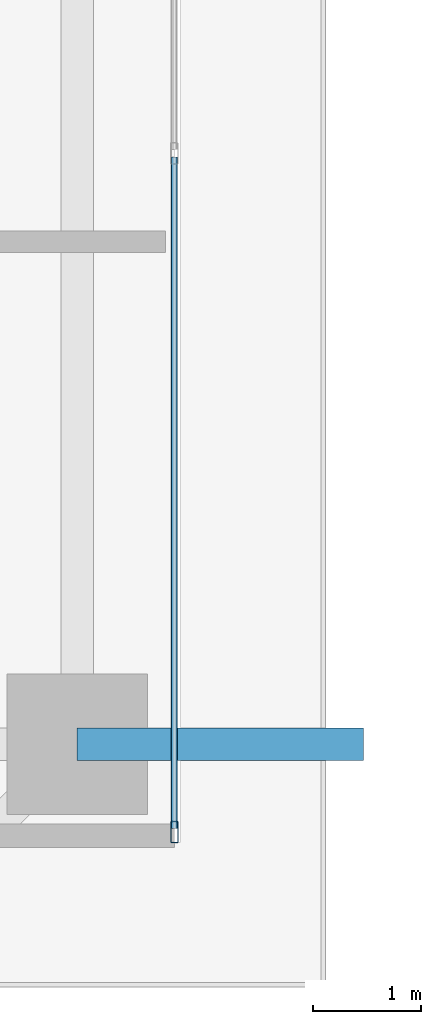
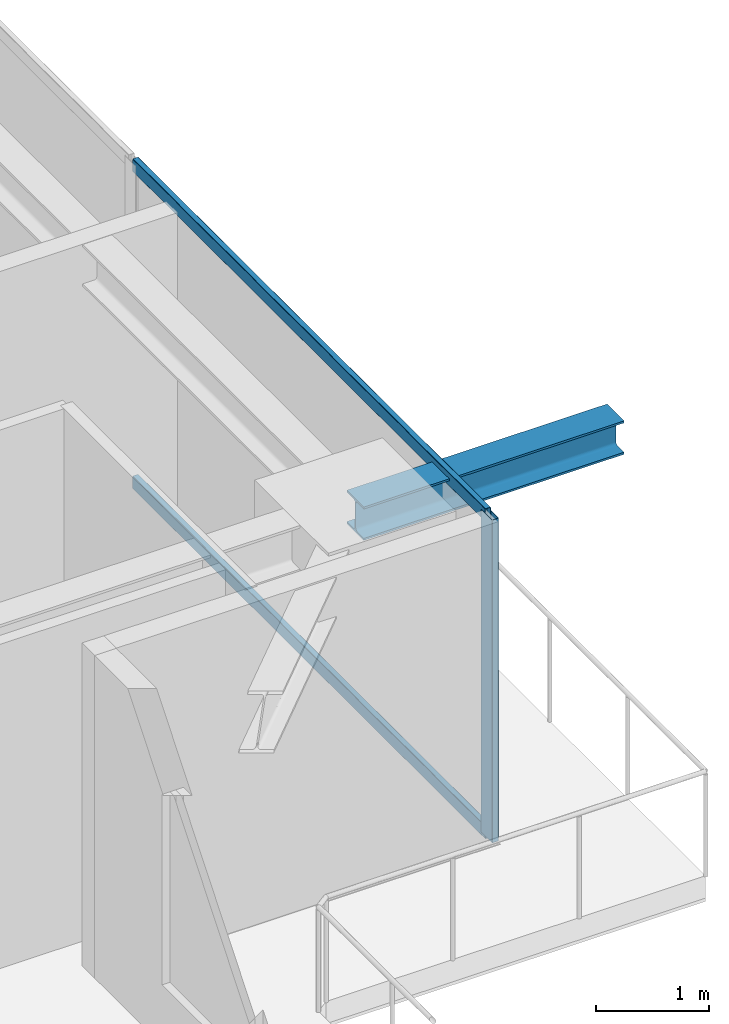
# One storey, part 13 of 35: 3 members, 1 beam, 1 element without a shape of its own.
"""IFC4 building model written with IfcOpenShell, lengths in metres."""

from ifc_helpers import new_model, si_unit, direction, frame, origin, origin_2d, place, context, subcontext, project, spatial, hollow_rectangle, i_section, extrude, source, transform, mapped, material, layer, layer_set, material_profile, profile_set, type_object, element, aggregate, save


model = new_model("IFC4")

# Units and contexts
model_context = context("Model", 3, precision=1e-05, world=origin(), true_north=direction((0.0, 1.0)))
body_context = subcontext(model_context, "Body", "Model", "MODEL_VIEW")
ifc_project = project(units=[si_unit("LENGTHUNIT", "METRE"), si_unit("AREAUNIT", "SQUARE_METRE"), si_unit("VOLUMEUNIT", "CUBIC_METRE"), si_unit("PLANEANGLEUNIT", "RADIAN"), si_unit("MASSUNIT", "GRAM", prefix="KILO")], contexts=[model_context])

# Site, building, storey
site_placement = place(None, origin())
site = spatial("IfcSite", under=ifc_project, at=site_placement, CompositionType="ELEMENT")
building_placement = place(site_placement, origin())
building = spatial("IfcBuilding", under=site, at=building_placement, Name="Serunith Strait Residences", CompositionType="ELEMENT")
storey_placement = place(building_placement, frame((0.0, 0.0, 172.64990234375)))
storey = spatial("IfcBuildingStorey", under=building, at=storey_placement, Name="L43", CompositionType="ELEMENT", Elevation=172.64990234375)

# Beam
ifc_material_1 = material(Name="Steel S355J2", Category="steel")
ifc_material_profile_1 = material_profile(ifc_material_1, i_section(OverallWidth=0.300048828125, OverallDepth=0.360107421875, WebThickness=0.012451171875, FlangeThickness=0.0224609375, FilletRadius=0.027099609375, at=origin_2d()), Name="HEB 360")
ifc_profile_set_1 = profile_set([ifc_material_profile_1], Name="Steel S355J2")
beam_type = type_object("IfcBeamType", Name="BM-HEB360", PredefinedType="BEAM", material=ifc_profile_set_1)
shared_shape_1 = source(origin(), body_context, "Body", "SweptSolid", [
    extrude(i_section(OverallWidth=0.300048828125, OverallDepth=0.360107421875, WebThickness=0.012451171875, FlangeThickness=0.0224609375, FilletRadius=0.027099609375, at=origin_2d()), origin(), (0.0, 0.0, 1.0), 2.650390625),
])
beam_placement = place(storey_placement, frame((56.10009765625, 10.25, 3.277099609375), z_axis=(1.0, 0.0, 0.0), x_axis=(0.0, 1.0, 0.0)))
element("IfcBeam", 1, at=beam_placement, inside=storey, type_object=beam_type, Name="L44 Cantilevered Balcony Rib TC-E1", PredefinedType="BEAM", context=body_context, shape_type="MappedRepresentation", body=[
    mapped(shared_shape_1, transform((0.0, 0.0, 0.0), scale=1.0)),
])

# Curtain wall, members
ifc_material_2 = material(Name="Pale-Champagne Anodised Aluminium", Category="aluminium")
ifc_layer = layer(ifc_material_2, 0.199951171875, Name="Pale-Champagne Anodised Aluminium")
ifc_layer_set = layer_set([ifc_layer], Name="Pale-Champagne Anodised Aluminium")
curtain_wall_type = type_object("IfcCurtainWallType", Name="CW-SYS2", PredefinedType="NOTDEFINED", material=ifc_layer_set)
curtain_wall_placement = place(storey_placement, origin())
curtain_wall = element("IfcCurtainWall", 2, at=curtain_wall_placement, inside=storey, type_object=curtain_wall_type, Name="L43 E Unitised Fritted Curtain Wall", PredefinedType="NOTDEFINED")
ifc_material_profile_2 = material_profile(ifc_material_2, hollow_rectangle(XDim=0.070068359375, YDim=0.199951171875, WallThickness=0.00390625, InnerFilletRadius=0.006103515625, OuterFilletRadius=0.010009765625, at=origin_2d()), Name="ALU 200x70x4")
ifc_profile_set_2 = profile_set([ifc_material_profile_2], Name="Pale-Champagne Anodised Aluminium")
member_type_1 = type_object("IfcMemberType", Name="CW-SYS2-MULL", PredefinedType="MULLION", material=ifc_profile_set_2)
shared_shape_2 = source(origin(), body_context, "Body", "SweptSolid", [
    extrude(hollow_rectangle(XDim=0.070068359375, YDim=0.199951171875, WallThickness=0.00390625, InnerFilletRadius=0.006103515625, OuterFilletRadius=0.010009765625, at=origin_2d()), origin(), (0.0, 0.0, 1.0), 3.47509765625),
])
member_1_placement = place(storey_placement, frame((57.0, 9.43505859375, 0.0), z_axis=(0.0, 0.0, 1.0), x_axis=(-1.0, 0.0, 0.0)))
member_1 = element("IfcMember", 3, at=member_1_placement, type_object=member_type_1, Name="CW-2 mullion 1", PredefinedType="MULLION", context=body_context, shape_type="MappedRepresentation", body=[
    mapped(shared_shape_2, transform((0.0, 0.0, 0.0), scale=1.0)),
])
ifc_material_profile_3 = material_profile(ifc_material_2, hollow_rectangle(XDim=0.06005859375, YDim=0.139892578125, WallThickness=0.00341796875, InnerFilletRadius=0.00537109375, OuterFilletRadius=0.0087890625, at=origin_2d()), Name="ALU 140x60x3.5")
ifc_profile_set_3 = profile_set([ifc_material_profile_3], Name="Pale-Champagne Anodised Aluminium")
member_type_2 = type_object("IfcMemberType", Name="CW-SYS2-TRAN", PredefinedType="USERDEFINED", material=ifc_profile_set_3)
shared_shape_3 = source(origin(), body_context, "Body", "SweptSolid", [
    extrude(hollow_rectangle(XDim=0.06005859375, YDim=0.139892578125, WallThickness=0.00341796875, InnerFilletRadius=0.00537109375, OuterFilletRadius=0.0087890625, at=origin_2d()), origin(), (0.0, 0.0, 1.0), 6.215087890625),
])
member_2_placement = place(storey_placement, frame((57.0, 9.469970703125, 0.030029296875), z_axis=(0.0, 1.0, 0.0), x_axis=(-1.0, 0.0, 0.0)))
member_2 = element("IfcMember", 4, at=member_2_placement, type_object=member_type_2, Name="CW-2 transom 1.1", ObjectType="TRANSOM", PredefinedType="USERDEFINED", context=body_context, shape_type="MappedRepresentation", body=[
    mapped(shared_shape_3, transform((0.0, 0.0, 0.0), scale=1.0)),
])
member_3_placement = place(storey_placement, frame((57.0, 9.469970703125, 3.445068359375), z_axis=(0.0, 1.0, 0.0), x_axis=(-1.0, 0.0, 0.0)))
member_3 = element("IfcMember", 5, at=member_3_placement, type_object=member_type_2, Name="CW-2 transom 1.2", ObjectType="TRANSOM", PredefinedType="USERDEFINED", context=body_context, shape_type="MappedRepresentation", body=[
    mapped(shared_shape_3, transform((0.0, 0.0, 0.0), scale=1.0)),
])
aggregate(curtain_wall, [member_1, member_2, member_3])

save(model, "model.ifc")
